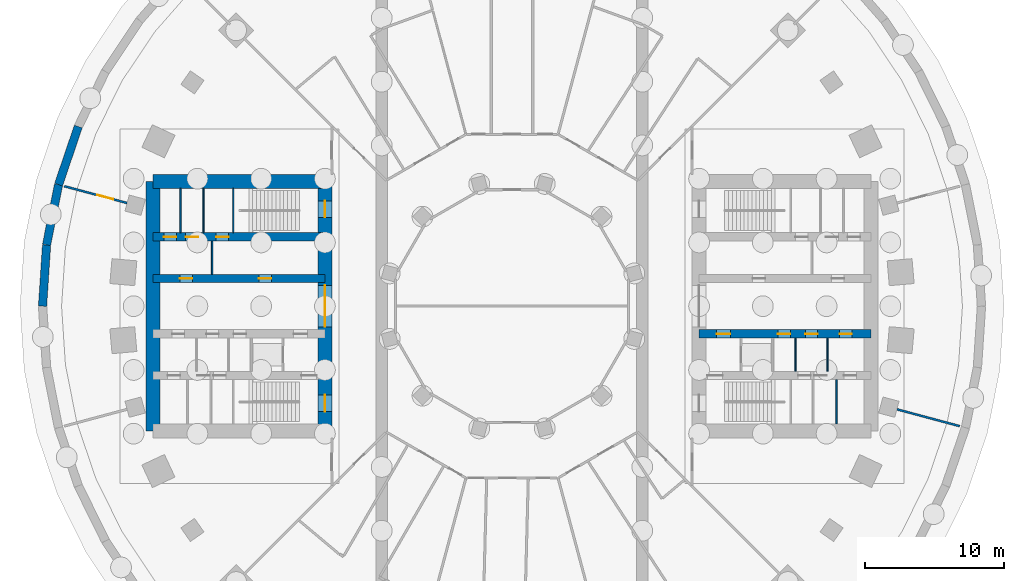
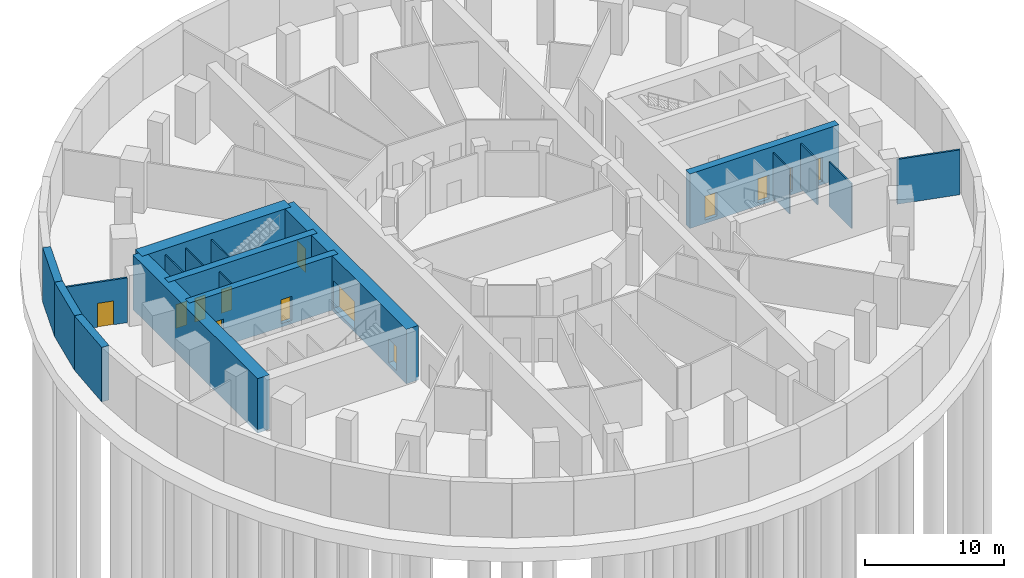
# One storey, part 5 of 10: 18 walls, 13 doors, 13 openings.
"""IFC4 building model written with IfcOpenShell, lengths in metres."""

from ifc_helpers import new_model, si_unit, direction, frame, frame_2d, origin, place, context, subcontext, project, spatial, rectangle, extrude, material, layer, layer_set, type_object, element, fill, save


model = new_model("IFC4")

# Units and contexts
model_context = context("Model", 3, precision=1e-05, world=origin(), true_north=direction((0.0, 1.0)))
body_context = subcontext(model_context, "Body", "Model", "MODEL_VIEW")
ifc_project = project(units=[si_unit("LENGTHUNIT", "METRE"), si_unit("AREAUNIT", "SQUARE_METRE"), si_unit("VOLUMEUNIT", "CUBIC_METRE"), si_unit("PLANEANGLEUNIT", "RADIAN"), si_unit("MASSUNIT", "GRAM", prefix="KILO")], contexts=[model_context])

# Site, building, storey
site_placement = place(None, origin())
site = spatial("IfcSite", under=ifc_project, at=site_placement, CompositionType="ELEMENT")
building_placement = place(site_placement, origin())
building = spatial("IfcBuilding", under=site, at=building_placement, Name="Saqina Gate Tower", CompositionType="ELEMENT")
storey_placement = place(building_placement, frame((0.0, 0.0, -9.0)))
storey = spatial("IfcBuildingStorey", under=building, at=storey_placement, Name="B2", CompositionType="ELEMENT", Elevation=-9.0)

# Walls
ifc_material_1 = material(Name="Gypsum board on steel studs", Category="steel")
ifc_layer_1 = layer(ifc_material_1, 0.10009765625)
ifc_layer_set_1 = layer_set([ifc_layer_1], Name="CORE PARTITION")
wall_type_1 = type_object("IfcWallType", Name="CORE PARTITION", PredefinedType="PARTITIONING", material=ifc_layer_set_1)
for number, where, z_axis, x_axis, name in (
    (1, (20.45751953125, -4.699951171875, 0.0), (0.0, 0.0, 1.0), (0.0, 1.0, 0.0), "B2-CP-E04"),
    (2, (22.763916015625, -4.699951171875, 0.0), (0.0, 0.0, 1.0), (0.0, 1.0, 0.0), "B2-CP-E05"),
):
    element("IfcWall", number, at=place(storey_placement, frame(where, z_axis=z_axis, x_axis=x_axis)), inside=storey, type_object=wall_type_1, Name=name, PredefinedType="PARTITIONING", context=body_context, shape_type="SweptSolid", body=[
        extrude(rectangle(XDim=2.39990234375, YDim=0.10009765625, at=frame_2d((1.199951171875, 0.0))), origin(), (0.0, 0.0, 1.0), 3.949951171875),
    ])
wall_1_placement = place(storey_placement, frame((23.40869140625, -8.5, 0.0), z_axis=(0.0, 0.0, 1.0), x_axis=(0.0, 1.0, 0.0)))
element("IfcWall", 3, at=wall_1_placement, inside=storey, type_object=wall_type_1, Name="B2-CP-E11", PredefinedType="PARTITIONING", context=body_context, shape_type="SweptSolid", body=[
    extrude(rectangle(XDim=3.199951171875, YDim=0.10009765625, at=frame_2d((1.60009765625, 0.0))), origin(), (0.0, 0.0, 1.0), 3.949951171875),
])
wall_2_placement = place(storey_placement, frame((-21.637939453125, 2.300048828125, 0.0), z_axis=(0.0, 0.0, 1.0), x_axis=(0.0, 1.0, 0.0)))
element("IfcWall", 4, at=wall_2_placement, inside=storey, type_object=wall_type_1, Name="B2-CP-W01", PredefinedType="PARTITIONING", context=body_context, shape_type="SweptSolid", body=[
    extrude(rectangle(XDim=2.39990234375, YDim=0.10009765625, at=frame_2d((1.199951171875, 0.0))), origin(), (0.0, 0.0, 1.0), 3.949951171875),
])
for number, where, z_axis, x_axis, name in (
    (5, (-22.256103515625, 5.300048828125, 0.0), (0.0, 0.0, 1.0), (0.0, 1.0, 0.0), "B2-CP-W07"),
    (6, (-23.932861328125, 5.300048828125, 0.0), (0.0, 0.0, 1.0), (0.0, 1.0, 0.0), "B2-CP-W08"),
):
    element("IfcWall", number, at=place(storey_placement, frame(where, z_axis=z_axis, x_axis=x_axis)), inside=storey, type_object=wall_type_1, Name=name, PredefinedType="PARTITIONING", context=body_context, shape_type="SweptSolid", body=[
        extrude(rectangle(XDim=3.199951171875, YDim=0.10009765625, at=frame_2d((1.60009765625, 0.0))), origin(), (0.0, 0.0, 1.0), 3.949951171875),
    ])

# Wall, opening, door
ifc_material_2 = material(Name="Masonry block and plaster, 150 mm, fire rated", Category="masonry")
ifc_layer_2 = layer(ifc_material_2, 0.14990234375)
ifc_layer_set_2 = layer_set([ifc_layer_2], Name="SPECIAL PARTITION EI 60 150")
wall_type_2 = type_object("IfcWallType", Name="SPECIAL PARTITION EI 60 150", PredefinedType="PARTITIONING", material=ifc_layer_set_2)
wall_3_placement = place(storey_placement, frame((-32.30810546875, 8.656982421875, 0.0), z_axis=(0.0, 0.0, 1.0), x_axis=(0.965934336634, -0.258787281972, 0.0)))
wall_3 = element("IfcWall", 7, at=wall_3_placement, inside=storey, type_object=wall_type_2, Name="PARTITION 027", PredefinedType="PARTITIONING", context=body_context, shape_type="SweptSolid", body=[
    extrude(rectangle(XDim=4.687744140625, YDim=0.14990234375, at=frame_2d((2.34375, 0.0))), origin(), (0.0, 0.0, 1.0), 3.949951171875),
])
opening_1_placement = place(wall_3_placement, frame((2.458251953125, 0.0, 0.0)))
opening_1 = element("IfcOpeningElement", 8, at=opening_1_placement, cuts=wall_3, Name="Opening B2-D14", PredefinedType="OPENING", context=body_context, shape_type="SweptSolid", body=[
    extrude(rectangle(XDim=1.199951171875, YDim=2.10009765625, at=frame_2d((0.60009765625, 1.050048828125))), frame((0.0, 0.0869140625, 0.0), z_axis=(0.0, -1.0, 0.0), x_axis=(1.0, 0.0, 0.0)), (0.0, 0.0, 1.0), 0.173828125),
])
ifc_material_3 = material(Name="Steel-framed fire door leaf, EI 60", Category="steel")
door_type_1 = type_object("IfcDoorType", Name="SPECIAL DOOR 1200 FIRE EI 60", OperationType="SINGLE_SWING_LEFT", PredefinedType="DOOR", material=ifc_material_3)
door_1_placement = place(opening_1_placement, origin())
door_1 = element("IfcDoor", 9, at=door_1_placement, inside=storey, type_object=door_type_1, Name="DOOR B2-D14", OperationType="SINGLE_SWING_RIGHT", OverallHeight=2.10009765625, OverallWidth=1.199951171875, PredefinedType="DOOR", context=body_context, shape_type="SweptSolid", body=[
    extrude(rectangle(XDim=1.199951171875, YDim=2.10009765625, at=frame_2d((0.60009765625, 1.050048828125))), frame((0.0, 0.02490234375, 0.0), z_axis=(0.0, -1.0, 0.0), x_axis=(1.0, 0.0, 0.0)), (0.0, 0.0, 1.0), 0.050048828125),
])
fill(opening_1, door_1)

# Walls
wall_4_placement = place(storey_placement, frame((27.780029296875, -7.44384765625, 0.0), z_axis=(0.0, 0.0, 1.0), x_axis=(0.965934336634, -0.258787281972, 0.0)))
element("IfcWall", 10, at=wall_4_placement, inside=storey, type_object=wall_type_2, Name="PARTITION 028", PredefinedType="PARTITIONING", context=body_context, shape_type="SweptSolid", body=[
    extrude(rectangle(XDim=4.687744140625, YDim=0.14990234375, at=frame_2d((2.34375, 0.0))), origin(), (0.0, 0.0, 1.0), 3.949951171875),
])
ifc_material_4 = material(Name="Autoclaved aerated concrete block", Category="concrete")
ifc_layer_3 = layer(ifc_material_4, 0.10009765625)
ifc_layer_set_3 = layer_set([ifc_layer_3], Name="STAIR ENCLOSURE WALL")
wall_type_3 = type_object("IfcWallType", Name="STAIR ENCLOSURE WALL", PredefinedType="PARTITIONING", material=ifc_layer_set_3)
wall_5_placement = place(storey_placement, frame((-20.110107421875, 5.300048828125, 0.0), z_axis=(0.0, 0.0, 1.0), x_axis=(0.0, 1.0, 0.0)))
element("IfcWall", 11, at=wall_5_placement, inside=storey, type_object=wall_type_3, Name="B2-CP-W06", PredefinedType="PARTITIONING", context=body_context, shape_type="SweptSolid", body=[
    extrude(rectangle(XDim=3.199951171875, YDim=0.10009765625, at=frame_2d((1.60009765625, 0.0))), origin(), (0.0, 0.0, 1.0), 3.949951171875),
])

# Wall, openings, doors
ifc_material_5 = material(Name="Concrete C70/85", Category="concrete")
ifc_layer_4 = layer(ifc_material_5, 0.60009765625)
ifc_layer_set_4 = layer_set([ifc_layer_4], Name="Concrete C70/85")
wall_type_4 = type_object("IfcWallType", Name="STR-CORE WALL-P-I", PredefinedType="SHEAR", material=ifc_layer_set_4)
wall_6_placement = place(storey_placement, frame((13.5, -2.0, -0.300048828125), z_axis=(0.0, 0.0, 1.0), x_axis=(1.0, 0.0, 0.0)))
wall_6 = element("IfcWall", 12, at=wall_6_placement, inside=storey, type_object=wall_type_4, Name="CORE WALL B2 E-L2", PredefinedType="SHEAR", context=body_context, shape_type="SweptSolid", body=[
    extrude(rectangle(XDim=12.39990234375, YDim=0.60009765625, at=frame_2d((6.199951171875, 0.0))), origin(), (0.0, 0.0, 1.0), 4.800048828125),
])
opening_2_placement = place(wall_6_placement, frame((1.264892578125, 0.0, 0.300048828125)))
opening_2 = element("IfcOpeningElement", 13, at=opening_2_placement, cuts=wall_6, Name="Opening B2-D92", PredefinedType="OPENING", context=body_context, shape_type="SweptSolid", body=[
    extrude(rectangle(XDim=1.0, YDim=2.10009765625, at=frame_2d((0.5, 1.050048828125))), frame((0.0, 0.31201171875, 0.0), z_axis=(0.0, -1.0, 0.0), x_axis=(1.0, 0.0, 0.0)), (0.0, 0.0, 1.0), 0.6240234375),
])
opening_3_placement = place(wall_6_placement, frame((5.683837890625, 0.0, 0.300048828125)))
opening_3 = element("IfcOpeningElement", 14, at=opening_3_placement, cuts=wall_6, Name="Opening B2-D93", PredefinedType="OPENING", context=body_context, shape_type="SweptSolid", body=[
    extrude(rectangle(XDim=0.89990234375, YDim=2.10009765625, at=frame_2d((0.449951171875, 1.050048828125))), frame((0.0, 0.31201171875, 0.0), z_axis=(0.0, -1.0, 0.0), x_axis=(1.0, 0.0, 0.0)), (0.0, 0.0, 1.0), 0.6240234375),
])
opening_4_placement = place(wall_6_placement, frame((7.66064453125, 0.0, 0.300048828125)))
opening_4 = element("IfcOpeningElement", 15, at=opening_4_placement, cuts=wall_6, Name="Opening B2-D94", PredefinedType="OPENING", context=body_context, shape_type="SweptSolid", body=[
    extrude(rectangle(XDim=0.89990234375, YDim=2.10009765625, at=frame_2d((0.449951171875, 1.050048828125))), frame((0.0, 0.31201171875, 0.0), z_axis=(0.0, -1.0, 0.0), x_axis=(1.0, 0.0, 0.0)), (0.0, 0.0, 1.0), 0.6240234375),
])
opening_5_placement = place(wall_6_placement, frame((10.132080078125, 0.0, 0.300048828125)))
opening_5 = element("IfcOpeningElement", 16, at=opening_5_placement, cuts=wall_6, Name="Opening B2-D95", PredefinedType="OPENING", context=body_context, shape_type="SweptSolid", body=[
    extrude(rectangle(XDim=0.89990234375, YDim=2.10009765625, at=frame_2d((0.449951171875, 1.050048828125))), frame((0.0, 0.31201171875, 0.0), z_axis=(0.0, -1.0, 0.0), x_axis=(1.0, 0.0, 0.0)), (0.0, 0.0, 1.0), 0.6240234375),
])
ifc_material_6 = material(Name="Steel", Category="steel")
door_type_2 = type_object("IfcDoorType", Name="FIRE LOBBY DOOR EI 60", OperationType="SINGLE_SWING_LEFT", PredefinedType="DOOR", material=ifc_material_6)
door_2_placement = place(opening_2_placement, origin())
door_2 = element("IfcDoor", 17, at=door_2_placement, inside=storey, type_object=door_type_2, Name="B2-CD-E03", OperationType="SINGLE_SWING_LEFT", OverallHeight=2.10009765625, OverallWidth=1.0, PredefinedType="DOOR", context=body_context, shape_type="SweptSolid", body=[
    extrude(rectangle(XDim=1.0, YDim=2.10009765625, at=frame_2d((0.5, 1.050048828125))), frame((0.0, 0.02490234375, 0.0), z_axis=(0.0, -1.0, 0.0), x_axis=(1.0, 0.0, 0.0)), (0.0, 0.0, 1.0), 0.050048828125),
])
fill(opening_2, door_2)
ifc_material_7 = material(Name="Steel-framed fire door leaf, EI 60", Category="steel")
door_type_3 = type_object("IfcDoorType", Name="SERVICE ROOM DOOR 900", OperationType="SINGLE_SWING_LEFT", PredefinedType="DOOR", material=ifc_material_7)
door_3_placement = place(opening_3_placement, frame((0.89990234375, 0.0, 0.0), z_axis=(0.0, 0.0, 1.0), x_axis=(-1.0, 0.0, 0.0)))
door_3 = element("IfcDoor", 18, at=door_3_placement, inside=storey, type_object=door_type_3, Name="B2-CD-E04", OperationType="SINGLE_SWING_RIGHT", OverallHeight=2.10009765625, OverallWidth=0.89990234375, PredefinedType="DOOR", context=body_context, shape_type="SweptSolid", body=[
    extrude(rectangle(XDim=0.89990234375, YDim=2.10009765625, at=frame_2d((0.449951171875, 1.050048828125))), frame((0.0, 0.02490234375, 0.0), z_axis=(0.0, -1.0, 0.0), x_axis=(1.0, 0.0, 0.0)), (0.0, 0.0, 1.0), 0.050048828125),
])
fill(opening_3, door_3)
door_4_placement = place(opening_4_placement, frame((0.89990234375, 0.0, 0.0), z_axis=(0.0, 0.0, 1.0), x_axis=(-1.0, 0.0, 0.0)))
door_4 = element("IfcDoor", 19, at=door_4_placement, inside=storey, type_object=door_type_3, Name="B2-CD-E05", OperationType="SINGLE_SWING_LEFT", OverallHeight=2.10009765625, OverallWidth=0.89990234375, PredefinedType="DOOR", context=body_context, shape_type="SweptSolid", body=[
    extrude(rectangle(XDim=0.89990234375, YDim=2.10009765625, at=frame_2d((0.449951171875, 1.050048828125))), frame((0.0, 0.02490234375, 0.0), z_axis=(0.0, -1.0, 0.0), x_axis=(1.0, 0.0, 0.0)), (0.0, 0.0, 1.0), 0.050048828125),
])
fill(opening_4, door_4)
door_5_placement = place(opening_5_placement, frame((0.89990234375, 0.0, 0.0), z_axis=(0.0, 0.0, 1.0), x_axis=(-1.0, 0.0, 0.0)))
door_5 = element("IfcDoor", 20, at=door_5_placement, inside=storey, type_object=door_type_3, Name="B2-CD-E06", OperationType="SINGLE_SWING_LEFT", OverallHeight=2.10009765625, OverallWidth=0.89990234375, PredefinedType="DOOR", context=body_context, shape_type="SweptSolid", body=[
    extrude(rectangle(XDim=0.89990234375, YDim=2.10009765625, at=frame_2d((0.449951171875, 1.050048828125))), frame((0.0, 0.02490234375, 0.0), z_axis=(0.0, -1.0, 0.0), x_axis=(1.0, 0.0, 0.0)), (0.0, 0.0, 1.0), 0.050048828125),
])
fill(opening_5, door_5)

wall_7_placement = place(storey_placement, frame((-13.5, 5.0, -0.300048828125), z_axis=(0.0, 0.0, 1.0), x_axis=(-1.0, 0.0, 0.0)))
wall_7 = element("IfcWall", 21, at=wall_7_placement, inside=storey, type_object=wall_type_4, Name="CORE WALL B2 W-X1", PredefinedType="SHEAR", context=body_context, shape_type="SweptSolid", body=[
    extrude(rectangle(XDim=12.39990234375, YDim=0.60009765625, at=frame_2d((6.199951171875, 0.0))), origin(), (0.0, 0.0, 1.0), 4.800048828125),
])
opening_6_placement = place(wall_7_placement, frame((6.948974609375, 0.0, 0.300048828125)))
opening_6 = element("IfcOpeningElement", 22, at=opening_6_placement, cuts=wall_7, Name="Opening B2-D112", PredefinedType="OPENING", context=body_context, shape_type="SweptSolid", body=[
    extrude(rectangle(XDim=0.89990234375, YDim=2.10009765625, at=frame_2d((0.449951171875, 1.050048828125))), frame((0.0, 0.31201171875, 0.0), z_axis=(0.0, -1.0, 0.0), x_axis=(1.0, 0.0, 0.0)), (0.0, 0.0, 1.0), 0.6240234375),
])
opening_7_placement = place(wall_7_placement, frame((9.144287109375, 0.0, 0.300048828125)))
opening_7 = element("IfcOpeningElement", 23, at=opening_7_placement, cuts=wall_7, Name="Opening B2-D113", PredefinedType="OPENING", context=body_context, shape_type="SweptSolid", body=[
    extrude(rectangle(XDim=0.89990234375, YDim=2.10009765625, at=frame_2d((0.449951171875, 1.050048828125))), frame((0.0, 0.31201171875, 0.0), z_axis=(0.0, -1.0, 0.0), x_axis=(1.0, 0.0, 0.0)), (0.0, 0.0, 1.0), 0.6240234375),
])
opening_8_placement = place(wall_7_placement, frame((10.71630859375, 0.0, 0.300048828125)))
opening_8 = element("IfcOpeningElement", 24, at=opening_8_placement, cuts=wall_7, Name="Opening B2-D114", PredefinedType="OPENING", context=body_context, shape_type="SweptSolid", body=[
    extrude(rectangle(XDim=0.89990234375, YDim=2.10009765625, at=frame_2d((0.449951171875, 1.050048828125))), frame((0.0, 0.31201171875, 0.0), z_axis=(0.0, -1.0, 0.0), x_axis=(1.0, 0.0, 0.0)), (0.0, 0.0, 1.0), 0.6240234375),
])
door_6_placement = place(opening_6_placement, origin())
door_6 = element("IfcDoor", 25, at=door_6_placement, inside=storey, type_object=door_type_3, Name="B2-CD-W23", OperationType="SINGLE_SWING_RIGHT", OverallHeight=2.10009765625, OverallWidth=0.89990234375, PredefinedType="DOOR", context=body_context, shape_type="SweptSolid", body=[
    extrude(rectangle(XDim=0.89990234375, YDim=2.10009765625, at=frame_2d((0.449951171875, 1.050048828125))), frame((0.0, 0.02490234375, 0.0), z_axis=(0.0, -1.0, 0.0), x_axis=(1.0, 0.0, 0.0)), (0.0, 0.0, 1.0), 0.050048828125),
])
fill(opening_6, door_6)
door_7_placement = place(opening_7_placement, origin())
door_7 = element("IfcDoor", 26, at=door_7_placement, inside=storey, type_object=door_type_3, Name="B2-CD-W24", OperationType="SINGLE_SWING_RIGHT", OverallHeight=2.10009765625, OverallWidth=0.89990234375, PredefinedType="DOOR", context=body_context, shape_type="SweptSolid", body=[
    extrude(rectangle(XDim=0.89990234375, YDim=2.10009765625, at=frame_2d((0.449951171875, 1.050048828125))), frame((0.0, 0.02490234375, 0.0), z_axis=(0.0, -1.0, 0.0), x_axis=(1.0, 0.0, 0.0)), (0.0, 0.0, 1.0), 0.050048828125),
])
fill(opening_7, door_7)
door_8_placement = place(opening_8_placement, origin())
door_8 = element("IfcDoor", 27, at=door_8_placement, inside=storey, type_object=door_type_3, Name="B2-CD-W25", OperationType="SINGLE_SWING_RIGHT", OverallHeight=2.10009765625, OverallWidth=0.89990234375, PredefinedType="DOOR", context=body_context, shape_type="SweptSolid", body=[
    extrude(rectangle(XDim=0.89990234375, YDim=2.10009765625, at=frame_2d((0.449951171875, 1.050048828125))), frame((0.0, 0.02490234375, 0.0), z_axis=(0.0, -1.0, 0.0), x_axis=(1.0, 0.0, 0.0)), (0.0, 0.0, 1.0), 0.050048828125),
])
fill(opening_8, door_8)

wall_8_placement = place(storey_placement, frame((-13.5, 2.0, -0.300048828125), z_axis=(0.0, 0.0, 1.0), x_axis=(-1.0, 0.0, 0.0)))
wall_8 = element("IfcWall", 28, at=wall_8_placement, inside=storey, type_object=wall_type_4, Name="CORE WALL B2 W-L1", PredefinedType="SHEAR", context=body_context, shape_type="SweptSolid", body=[
    extrude(rectangle(XDim=12.39990234375, YDim=0.60009765625, at=frame_2d((6.199951171875, 0.0))), origin(), (0.0, 0.0, 1.0), 4.800048828125),
])
opening_9_placement = place(wall_8_placement, frame((3.868896484375, 0.0, 0.300048828125)))
opening_9 = element("IfcOpeningElement", 29, at=opening_9_placement, cuts=wall_8, Name="Opening B2-D106", PredefinedType="OPENING", context=body_context, shape_type="SweptSolid", body=[
    extrude(rectangle(XDim=0.89990234375, YDim=2.10009765625, at=frame_2d((0.449951171875, 1.050048828125))), frame((0.0, 0.31201171875, 0.0), z_axis=(0.0, -1.0, 0.0), x_axis=(1.0, 0.0, 0.0)), (0.0, 0.0, 1.0), 0.6240234375),
])
opening_10_placement = place(wall_8_placement, frame((9.569091796875, 0.0, 0.300048828125)))
opening_10 = element("IfcOpeningElement", 30, at=opening_10_placement, cuts=wall_8, Name="Opening B2-D107", PredefinedType="OPENING", context=body_context, shape_type="SweptSolid", body=[
    extrude(rectangle(XDim=0.89990234375, YDim=2.10009765625, at=frame_2d((0.449951171875, 1.050048828125))), frame((0.0, 0.31201171875, 0.0), z_axis=(0.0, -1.0, 0.0), x_axis=(1.0, 0.0, 0.0)), (0.0, 0.0, 1.0), 0.6240234375),
])
door_9_placement = place(opening_9_placement, frame((0.89990234375, 0.0, 0.0), z_axis=(0.0, 0.0, 1.0), x_axis=(-1.0, 0.0, 0.0)))
door_9 = element("IfcDoor", 31, at=door_9_placement, inside=storey, type_object=door_type_3, Name="B2-CD-W17", OperationType="SINGLE_SWING_RIGHT", OverallHeight=2.10009765625, OverallWidth=0.89990234375, PredefinedType="DOOR", context=body_context, shape_type="SweptSolid", body=[
    extrude(rectangle(XDim=0.89990234375, YDim=2.10009765625, at=frame_2d((0.449951171875, 1.050048828125))), frame((0.0, 0.02490234375, 0.0), z_axis=(0.0, -1.0, 0.0), x_axis=(1.0, 0.0, 0.0)), (0.0, 0.0, 1.0), 0.050048828125),
])
fill(opening_9, door_9)
door_10_placement = place(opening_10_placement, frame((0.89990234375, 0.0, 0.0), z_axis=(0.0, 0.0, 1.0), x_axis=(-1.0, 0.0, 0.0)))
door_10 = element("IfcDoor", 32, at=door_10_placement, inside=storey, type_object=door_type_3, Name="B2-CD-W18", OperationType="SINGLE_SWING_LEFT", OverallHeight=2.10009765625, OverallWidth=0.89990234375, PredefinedType="DOOR", context=body_context, shape_type="SweptSolid", body=[
    extrude(rectangle(XDim=0.89990234375, YDim=2.10009765625, at=frame_2d((0.449951171875, 1.050048828125))), frame((0.0, 0.02490234375, 0.0), z_axis=(0.0, -1.0, 0.0), x_axis=(1.0, 0.0, 0.0)), (0.0, 0.0, 1.0), 0.050048828125),
])
fill(opening_10, door_10)

ifc_material_8 = material(Name="Concrete C70/85", Category="concrete")
ifc_layer_5 = layer(ifc_material_8, 1.0)
ifc_layer_set_5 = layer_set([ifc_layer_5], Name="Concrete C70/85")
wall_type_5 = type_object("IfcWallType", Name="STR-CORE WALL-P-O", PredefinedType="SHEAR", material=ifc_layer_set_5)
wall_9_placement = place(storey_placement, frame((-13.5, -9.0, -0.300048828125), z_axis=(0.0, 0.0, 1.0), x_axis=(0.0, 1.0, 0.0)))
wall_9 = element("IfcWall", 33, at=wall_9_placement, inside=storey, type_object=wall_type_5, Name="CORE WALL B2 W-W1", PredefinedType="SHEAR", context=body_context, shape_type="SweptSolid", body=[
    extrude(rectangle(XDim=18.0, YDim=1.0, at=frame_2d((9.0, 0.0))), origin(), (0.0, 0.0, 1.0), 4.800048828125),
])
opening_11_placement = place(wall_9_placement, frame((15.39990234375, 0.0, 0.300048828125)))
opening_11 = element("IfcOpeningElement", 34, at=opening_11_placement, cuts=wall_9, Name="Opening B2-D119", PredefinedType="OPENING", context=body_context, shape_type="SweptSolid", body=[
    extrude(rectangle(XDim=1.199951171875, YDim=2.10009765625, at=frame_2d((0.60009765625, 1.050048828125))), frame((0.0, 0.511962890625, 0.0), z_axis=(0.0, -1.0, 0.0), x_axis=(1.0, 0.0, 0.0)), (0.0, 0.0, 1.0), 1.02392578125),
])
opening_12_placement = place(wall_9_placement, frame((1.39990234375, 0.0, 0.300048828125)))
opening_12 = element("IfcOpeningElement", 35, at=opening_12_placement, cuts=wall_9, Name="Opening B2-D120", PredefinedType="OPENING", context=body_context, shape_type="SweptSolid", body=[
    extrude(rectangle(XDim=1.199951171875, YDim=2.10009765625, at=frame_2d((0.60009765625, 1.050048828125))), frame((0.0, 0.511962890625, 0.0), z_axis=(0.0, -1.0, 0.0), x_axis=(1.0, 0.0, 0.0)), (0.0, 0.0, 1.0), 1.02392578125),
])
opening_13_placement = place(wall_9_placement, frame((7.5, 0.0, 0.300048828125)))
opening_13 = element("IfcOpeningElement", 36, at=opening_13_placement, cuts=wall_9, Name="Opening B2-D121", PredefinedType="OPENING", context=body_context, shape_type="SweptSolid", body=[
    extrude(rectangle(XDim=3.0, YDim=2.39990234375, at=frame_2d((1.5, 1.199951171875))), frame((0.0, 0.511962890625, 0.0), z_axis=(0.0, -1.0, 0.0), x_axis=(1.0, 0.0, 0.0)), (0.0, 0.0, 1.0), 1.02392578125),
])
ifc_material_9 = material(Name="Steel", Category="steel")
door_type_4 = type_object("IfcDoorType", Name="FIRE DOOR EI 60", OperationType="SINGLE_SWING_LEFT", PredefinedType="DOOR", material=ifc_material_9)
door_11_placement = place(opening_11_placement, origin())
door_11 = element("IfcDoor", 37, at=door_11_placement, inside=storey, type_object=door_type_4, Name="B2-CD-W30", OperationType="SINGLE_SWING_RIGHT", OverallHeight=2.10009765625, OverallWidth=1.199951171875, PredefinedType="DOOR", context=body_context, shape_type="SweptSolid", body=[
    extrude(rectangle(XDim=1.199951171875, YDim=2.10009765625, at=frame_2d((0.60009765625, 1.050048828125))), frame((0.0, 0.02490234375, 0.0), z_axis=(0.0, -1.0, 0.0), x_axis=(1.0, 0.0, 0.0)), (0.0, 0.0, 1.0), 0.050048828125),
])
fill(opening_11, door_11)
door_12_placement = place(opening_12_placement, origin())
door_12 = element("IfcDoor", 38, at=door_12_placement, inside=storey, type_object=door_type_4, Name="B2-CD-W31", OperationType="SINGLE_SWING_LEFT", OverallHeight=2.10009765625, OverallWidth=1.199951171875, PredefinedType="DOOR", context=body_context, shape_type="SweptSolid", body=[
    extrude(rectangle(XDim=1.199951171875, YDim=2.10009765625, at=frame_2d((0.60009765625, 1.050048828125))), frame((0.0, 0.02490234375, 0.0), z_axis=(0.0, -1.0, 0.0), x_axis=(1.0, 0.0, 0.0)), (0.0, 0.0, 1.0), 0.050048828125),
])
fill(opening_12, door_12)
ifc_material_10 = material(Name="Steel and fire-resisting glass", Category="steel")
door_type_5 = type_object("IfcDoorType", Name="LOBBY SCREEN DOOR", OperationType="DOUBLE_DOOR_SLIDING", PredefinedType="DOOR", material=ifc_material_10)
door_13_placement = place(opening_13_placement, origin())
door_13 = element("IfcDoor", 39, at=door_13_placement, inside=storey, type_object=door_type_5, Name="B2-CD-W32", OperationType="DOUBLE_DOOR_SLIDING", OverallHeight=2.39990234375, OverallWidth=3.0, PredefinedType="DOOR", context=body_context, shape_type="SweptSolid", body=[
    extrude(rectangle(XDim=3.0, YDim=2.39990234375, at=frame_2d((1.5, 1.199951171875))), frame((0.0, 0.02490234375, 0.0), z_axis=(0.0, -1.0, 0.0), x_axis=(1.0, 0.0, 0.0)), (0.0, 0.0, 1.0), 0.050048828125),
])
fill(opening_13, door_13)

# Walls
wall_10_placement = place(storey_placement, frame((-25.89990234375, -9.0, -0.300048828125), z_axis=(0.0, 0.0, 1.0), x_axis=(0.0, 1.0, 0.0)))
element("IfcWall", 40, at=wall_10_placement, inside=storey, type_object=wall_type_5, Name="CORE WALL B2 W-W2", PredefinedType="SHEAR", context=body_context, shape_type="SweptSolid", body=[
    extrude(rectangle(XDim=18.0, YDim=1.0, at=frame_2d((9.0, 0.0))), origin(), (0.0, 0.0, 1.0), 4.800048828125),
])
wall_11_placement = place(storey_placement, frame((-13.5, 9.0, -0.300048828125), z_axis=(0.0, 0.0, 1.0), x_axis=(-1.0, 0.0, 0.0)))
element("IfcWall", 41, at=wall_11_placement, inside=storey, type_object=wall_type_5, Name="CORE WALL B2 W-NE", PredefinedType="SHEAR", context=body_context, shape_type="SweptSolid", body=[
    extrude(rectangle(XDim=12.39990234375, YDim=1.0, at=frame_2d((6.199951171875, 0.0))), origin(), (0.0, 0.0, 1.0), 4.800048828125),
])
ifc_material_11 = material(Name="Concrete C40/50", Category="concrete")
ifc_layer_6 = layer(ifc_material_11, 0.60009765625)
ifc_layer_set_6 = layer_set([ifc_layer_6], Name="Concrete C40/50")
wall_type_6 = type_object("IfcWallType", Name="STR-WALL-RETAINING", PredefinedType="SOLIDWALL", material=ifc_layer_set_6)
wall_12_placement = place(storey_placement, frame((-31.294189453125, 12.96240234375, -0.300048828125), z_axis=(0.0, 0.0, 1.0), x_axis=(-0.321413701295, -0.946938874807, 0.0)))
element("IfcWall", 42, at=wall_12_placement, inside=storey, type_object=wall_type_6, Name="BASEMENT RETAINING WALL 22", PredefinedType="SOLIDWALL", context=body_context, shape_type="SweptSolid", body=[
    extrude(rectangle(XDim=4.4306640625, YDim=0.60009765625, at=frame_2d((2.21533203125, 0.0))), origin(), (0.0, 0.0, 1.0), 4.800048828125),
])
wall_13_placement = place(storey_placement, frame((-32.71826171875, 8.766845703125, -0.300048828125), z_axis=(0.0, 0.0, 1.0), x_axis=(-0.195109395659, -0.980781486227, 0.0)))
element("IfcWall", 43, at=wall_13_placement, inside=storey, type_object=wall_type_6, Name="BASEMENT RETAINING WALL 23", PredefinedType="SOLIDWALL", context=body_context, shape_type="SweptSolid", body=[
    extrude(rectangle(XDim=4.430908203125, YDim=0.60009765625, at=frame_2d((2.21533203125, 0.0))), origin(), (0.0, 0.0, 1.0), 4.800048828125),
])
wall_14_placement = place(storey_placement, frame((-33.582763671875, 4.421142578125, -0.300048828125), z_axis=(0.0, 0.0, 1.0), x_axis=(-0.065407158232, -0.997858659156, 0.0)))
element("IfcWall", 44, at=wall_14_placement, inside=storey, type_object=wall_type_6, Name="BASEMENT RETAINING WALL 24", PredefinedType="SOLIDWALL", context=body_context, shape_type="SweptSolid", body=[
    extrude(rectangle(XDim=4.4306640625, YDim=0.60009765625, at=frame_2d((2.21533203125, 0.0))), origin(), (0.0, 0.0, 1.0), 4.800048828125),
])

save(model, "model.ifc")
